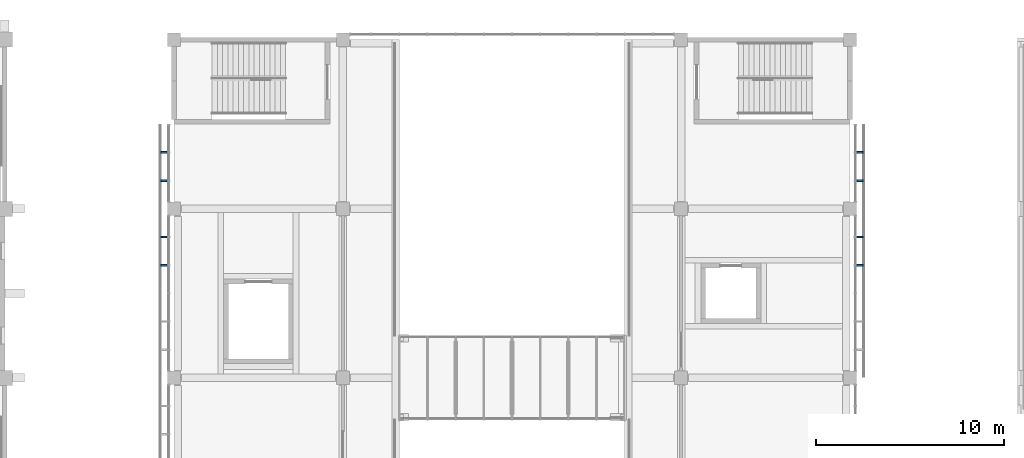
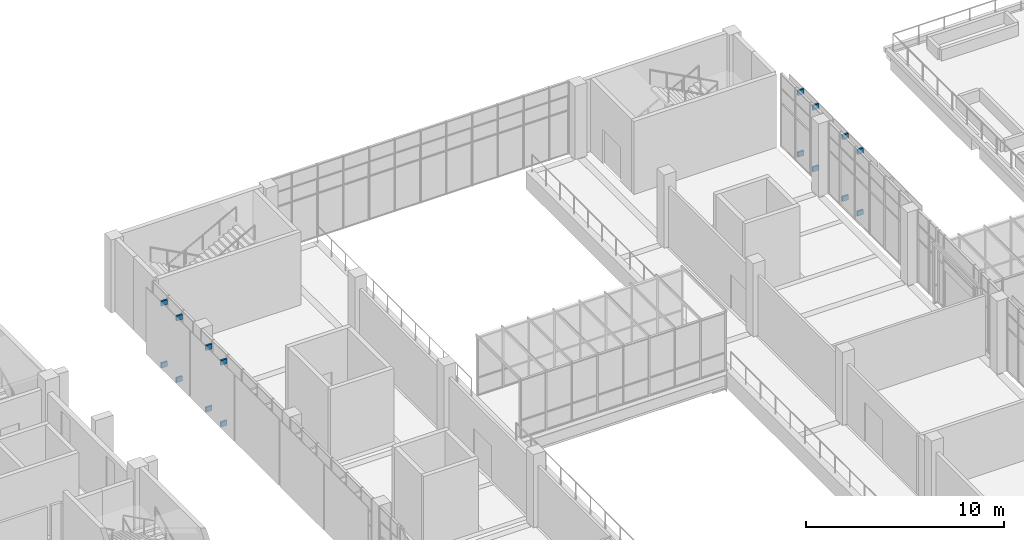
# One storey, part 92 of 106: 16 discrete accessories.
"""IFC4 building model written with IfcOpenShell, lengths in metres."""

from ifc_helpers import new_model, si_unit, direction, frame, origin, origin_2d, place, context, subcontext, project, spatial, rectangle, extrude, material, type_object, element, save


model = new_model("IFC4")

# Units and contexts
model_context = context("Model", 3, precision=1e-05, world=origin(), true_north=direction((0.0, 1.0)))
body_context = subcontext(model_context, "Body", "Model", "MODEL_VIEW")
ifc_project = project(units=[si_unit("LENGTHUNIT", "METRE"), si_unit("AREAUNIT", "SQUARE_METRE"), si_unit("VOLUMEUNIT", "CUBIC_METRE"), si_unit("PLANEANGLEUNIT", "RADIAN"), si_unit("MASSUNIT", "GRAM", prefix="KILO")], contexts=[model_context])

# Site, building, storey
site_placement = place(None, origin())
site = spatial("IfcSite", under=ifc_project, at=site_placement, CompositionType="ELEMENT")
building_placement = place(site_placement, origin())
building = spatial("IfcBuilding", under=site, at=building_placement, Name="Guidao Yard Department Store", CompositionType="ELEMENT")
storey_placement = place(building_placement, frame((0.0, 0.0, 10.5)))
storey = spatial("IfcBuildingStorey", under=building, at=storey_placement, Name="L02", CompositionType="ELEMENT", Elevation=10.5)

# Discrete accessories
ifc_material = material(Name="Steel Q355B", Category="steel")
discrete_accessory_type = type_object("IfcDiscreteAccessoryType", Name="Bracket BR2 steel plate", PredefinedType="BRACKET", material=ifc_material)
for number, where, z_axis, x_axis, name in (
    (1, (71.465087890625, 96.0, 0.2001953125), (0.0, 0.0, 1.0), (0.0, 1.0, 0.0), "Screen bracket"),
    (2, (71.465087890625, 96.0, 4.0), (0.0, 0.0, 1.0), (0.0, 1.0, 0.0), "Screen bracket"),
    (3, (71.465087890625, 97.5, 0.2001953125), (0.0, 0.0, 1.0), (0.0, 1.0, 0.0), "Screen bracket"),
    (4, (71.465087890625, 97.5, 4.0), (0.0, 0.0, 1.0), (0.0, 1.0, 0.0), "Screen bracket"),
    (5, (71.465087890625, 100.5, 0.2001953125), (0.0, 0.0, 1.0), (0.0, 1.0, 0.0), "Screen bracket"),
    (6, (71.465087890625, 100.5, 4.0), (0.0, 0.0, 1.0), (0.0, 1.0, 0.0), "Screen bracket"),
    (7, (71.465087890625, 102.0, 0.2001953125), (0.0, 0.0, 1.0), (0.0, 1.0, 0.0), "Screen bracket"),
    (8, (71.465087890625, 102.0, 4.0), (0.0, 0.0, 1.0), (0.0, 1.0, 0.0), "Screen bracket"),
    (9, (108.534912109375, 96.0, 0.2001953125), (0.0, 0.0, 1.0), (0.0, -1.0, 0.0), "Screen bracket"),
    (10, (108.534912109375, 96.0, 4.0), (0.0, 0.0, 1.0), (0.0, -1.0, 0.0), "Screen bracket"),
    (11, (108.534912109375, 97.5, 0.2001953125), (0.0, 0.0, 1.0), (0.0, -1.0, 0.0), "Screen bracket"),
    (12, (108.534912109375, 97.5, 4.0), (0.0, 0.0, 1.0), (0.0, -1.0, 0.0), "Screen bracket"),
    (13, (108.534912109375, 100.5, 0.2001953125), (0.0, 0.0, 1.0), (0.0, -1.0, 0.0), "Screen bracket"),
    (14, (108.534912109375, 100.5, 4.0), (0.0, 0.0, 1.0), (0.0, -1.0, 0.0), "Screen bracket"),
    (15, (108.534912109375, 102.0, 0.2001953125), (0.0, 0.0, 1.0), (0.0, -1.0, 0.0), "Screen bracket"),
    (16, (108.534912109375, 102.0, 4.0), (0.0, 0.0, 1.0), (0.0, -1.0, 0.0), "Screen bracket"),
):
    element("IfcDiscreteAccessory", number, at=place(storey_placement, frame(where, z_axis=z_axis, x_axis=x_axis)), inside=storey, type_object=discrete_accessory_type, Name=name, PredefinedType="BRACKET", context=body_context, shape_type="SweptSolid", body=[
        extrude(rectangle(XDim=0.10009765625, YDim=0.35009765625, at=origin_2d()), origin(), (0.0, 0.0, 1.0), 0.300048828125),
    ])

save(model, "model.ifc")
